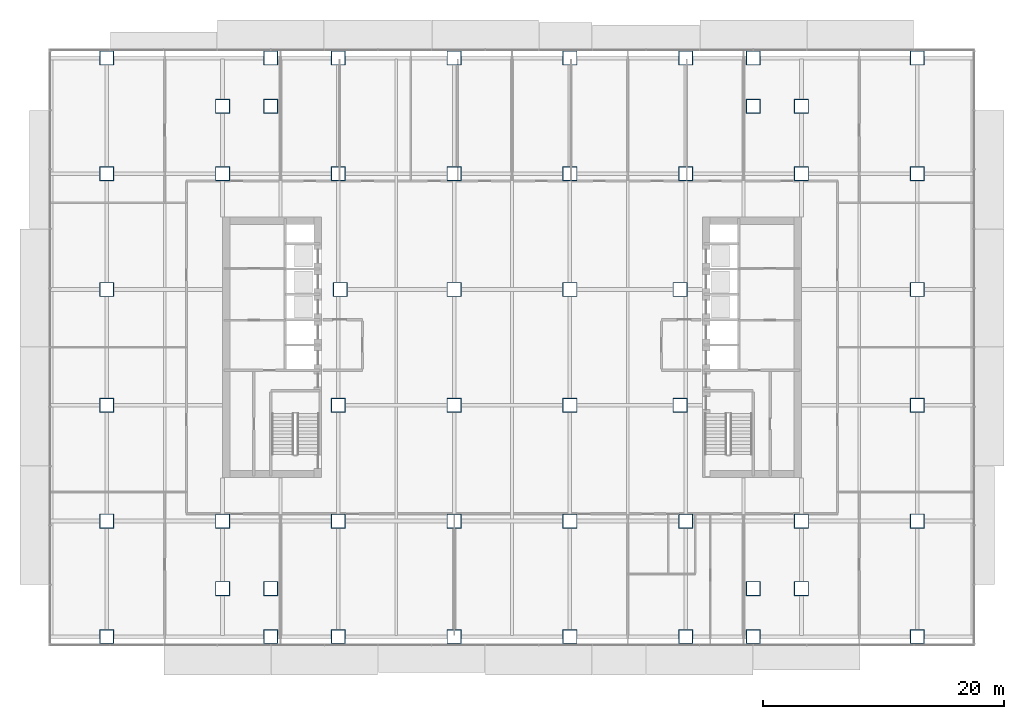
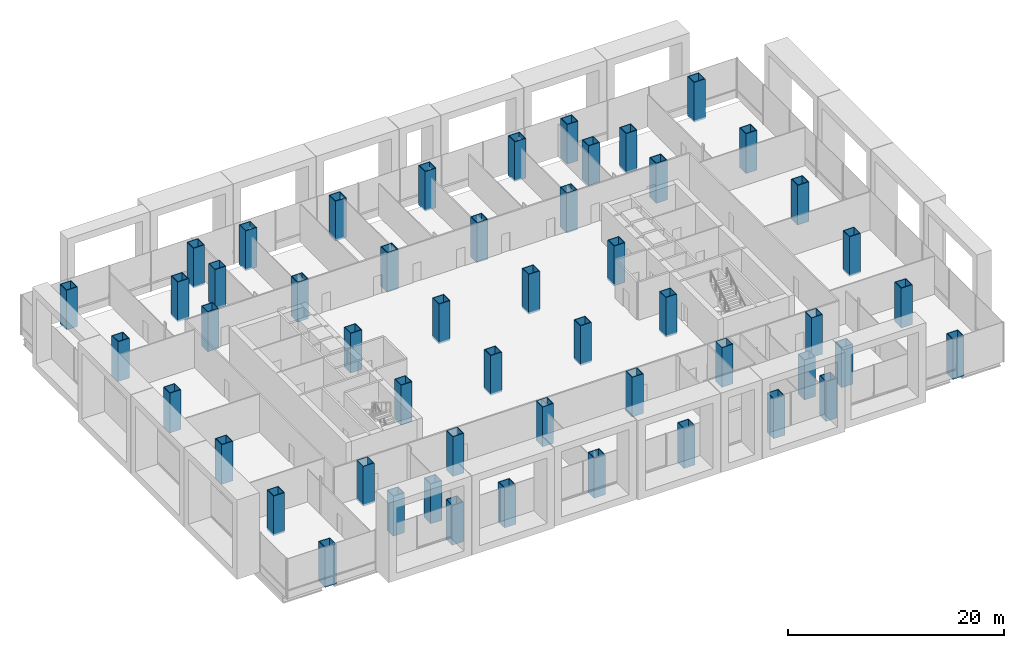
# One storey, part 1 of 23: 52 columns.
"""IFC4 building model written with IfcOpenShell, lengths in metres."""

from ifc_helpers import new_model, si_unit, direction, frame, origin, origin_2d, place, context, subcontext, project, spatial, hollow_rectangle, extrude, material, material_profile, profile_set, type_object, element, save


model = new_model("IFC4")

# Units and contexts
model_context = context("Model", 3, precision=1e-05, world=origin(), true_north=direction((0.0, 1.0)))
body_context = subcontext(model_context, "Body", "Model", "MODEL_VIEW")
ifc_project = project(units=[si_unit("LENGTHUNIT", "METRE"), si_unit("AREAUNIT", "SQUARE_METRE"), si_unit("VOLUMEUNIT", "CUBIC_METRE"), si_unit("PLANEANGLEUNIT", "RADIAN"), si_unit("MASSUNIT", "GRAM", prefix="KILO")], contexts=[model_context])

# Site, building, storey
site_placement = place(None, origin())
site = spatial("IfcSite", under=ifc_project, at=site_placement, CompositionType="ELEMENT")
building_placement = place(site_placement, origin())
building = spatial("IfcBuilding", under=site, at=building_placement, Name="Cobrizo Arcos Hotel Tower", CompositionType="ELEMENT")
storey_placement = place(building_placement, frame((0.0, 0.0, 15.5)))
storey = spatial("IfcBuildingStorey", under=building, at=storey_placement, Name="L02", CompositionType="ELEMENT", Elevation=15.5)

# Columns
ifc_material = material(Name="Steel ASTM A572 Grade 50", Category="steel")
ifc_material_profile_1 = material_profile(ifc_material, hollow_rectangle(XDim=1.199951171875, YDim=1.199951171875, WallThickness=0.070068359375, at=origin_2d()), Name="BOX 1200X1200X70")
ifc_profile_set_1 = profile_set([ifc_material_profile_1], Name="Steel ASTM A572 Grade 50")
column_type_1 = type_object("IfcColumnType", Name="BOX 1200X1200X70 column", PredefinedType="COLUMN", material=ifc_profile_set_1)
for number, where, z_axis, x_axis, name in (
    (1, (-33.60009765625, -24.0, -0.199951171875), (0.0, 0.0, 1.0), (1.0, 0.0, 0.0), "Perimeter column C1, L02, no. 00"),
    (2, (-33.60009765625, -14.39990234375, -0.199951171875), (0.0, 0.0, 1.0), (1.0, 0.0, 0.0), "Perimeter column C1, L02, no. 01"),
    (3, (-33.60009765625, -4.800048828125, -0.199951171875), (0.0, 0.0, 1.0), (1.0, 0.0, 0.0), "Perimeter column C1, L02, no. 02"),
    (4, (-33.60009765625, 4.800048828125, -0.199951171875), (0.0, 0.0, 1.0), (1.0, 0.0, 0.0), "Perimeter column C1, L02, no. 03"),
    (5, (-33.60009765625, 14.39990234375, -0.199951171875), (0.0, 0.0, 1.0), (1.0, 0.0, 0.0), "Perimeter column C1, L02, no. 04"),
    (6, (-33.60009765625, 24.0, -0.199951171875), (0.0, 0.0, 1.0), (1.0, 0.0, 0.0), "Perimeter column C1, L02, no. 05"),
    (7, (-20.0, -24.0, -0.199951171875), (0.0, 0.0, 1.0), (1.0, 0.0, 0.0), "Perimeter column C1, L02, no. 06"),
    (8, (-20.0, 24.0, -0.199951171875), (0.0, 0.0, 1.0), (1.0, 0.0, 0.0), "Perimeter column C1, L02, no. 07"),
    (9, (-14.39990234375, -24.0, -0.199951171875), (0.0, 0.0, 1.0), (1.0, 0.0, 0.0), "Perimeter column C1, L02, no. 08"),
    (10, (-14.39990234375, 24.0, -0.199951171875), (0.0, 0.0, 1.0), (1.0, 0.0, 0.0), "Perimeter column C1, L02, no. 09"),
    (11, (-4.800048828125, -24.0, -0.199951171875), (0.0, 0.0, 1.0), (1.0, 0.0, 0.0), "Perimeter column C1, L02, no. 10"),
    (12, (-4.800048828125, 24.0, -0.199951171875), (0.0, 0.0, 1.0), (1.0, 0.0, 0.0), "Perimeter column C1, L02, no. 11"),
    (13, (4.800048828125, -24.0, -0.199951171875), (0.0, 0.0, 1.0), (1.0, 0.0, 0.0), "Perimeter column C1, L02, no. 12"),
    (14, (4.800048828125, 24.0, -0.199951171875), (0.0, 0.0, 1.0), (1.0, 0.0, 0.0), "Perimeter column C1, L02, no. 13"),
    (15, (14.39990234375, -24.0, -0.199951171875), (0.0, 0.0, 1.0), (1.0, 0.0, 0.0), "Perimeter column C1, L02, no. 14"),
    (16, (14.39990234375, 24.0, -0.199951171875), (0.0, 0.0, 1.0), (1.0, 0.0, 0.0), "Perimeter column C1, L02, no. 15"),
    (17, (20.0, -24.0, -0.199951171875), (0.0, 0.0, 1.0), (1.0, 0.0, 0.0), "Perimeter column C1, L02, no. 16"),
    (18, (20.0, 24.0, -0.199951171875), (0.0, 0.0, 1.0), (1.0, 0.0, 0.0), "Perimeter column C1, L02, no. 17"),
    (19, (33.60009765625, -24.0, -0.199951171875), (0.0, 0.0, 1.0), (1.0, 0.0, 0.0), "Perimeter column C1, L02, no. 18"),
    (20, (33.60009765625, -14.39990234375, -0.199951171875), (0.0, 0.0, 1.0), (1.0, 0.0, 0.0), "Perimeter column C1, L02, no. 19"),
    (21, (33.60009765625, -4.800048828125, -0.199951171875), (0.0, 0.0, 1.0), (1.0, 0.0, 0.0), "Perimeter column C1, L02, no. 20"),
    (22, (33.60009765625, 4.800048828125, -0.199951171875), (0.0, 0.0, 1.0), (1.0, 0.0, 0.0), "Perimeter column C1, L02, no. 21"),
    (23, (33.60009765625, 14.39990234375, -0.199951171875), (0.0, 0.0, 1.0), (1.0, 0.0, 0.0), "Perimeter column C1, L02, no. 22"),
    (24, (33.60009765625, 24.0, -0.199951171875), (0.0, 0.0, 1.0), (1.0, 0.0, 0.0), "Perimeter column C1, L02, no. 23"),
):
    element("IfcColumn", number, at=place(storey_placement, frame(where, z_axis=z_axis, x_axis=x_axis)), inside=storey, type_object=column_type_1, Name=name, PredefinedType="COLUMN", context=body_context, shape_type="SweptSolid", body=[
        extrude(hollow_rectangle(XDim=1.199951171875, YDim=1.199951171875, WallThickness=0.070068359375, at=origin_2d()), origin(), (0.0, 0.0, 1.0), 4.5),
    ])
ifc_material_profile_2 = material_profile(ifc_material, hollow_rectangle(XDim=1.199951171875, YDim=1.199951171875, WallThickness=0.070068359375, at=origin_2d()), Name="BOX 1200X1200X70")
ifc_profile_set_2 = profile_set([ifc_material_profile_2], Name="Steel ASTM A572 Grade 50")
column_type_2 = type_object("IfcColumnType", Name="BOX 1200X1200X70 interior column", PredefinedType="COLUMN", material=ifc_profile_set_2)
for number, where, z_axis, x_axis, name in (
    (25, (-24.0, -20.0, -0.199951171875), (0.0, 0.0, 1.0), (1.0, 0.0, 0.0), "Interior column C2, L02, no. 00"),
    (26, (-24.0, -14.39990234375, -0.199951171875), (0.0, 0.0, 1.0), (1.0, 0.0, 0.0), "Interior column C2, L02, no. 01"),
    (27, (-24.0, 14.39990234375, -0.199951171875), (0.0, 0.0, 1.0), (1.0, 0.0, 0.0), "Interior column C2, L02, no. 02"),
    (28, (-24.0, 20.0, -0.199951171875), (0.0, 0.0, 1.0), (1.0, 0.0, 0.0), "Interior column C2, L02, no. 03"),
    (29, (-20.0, -20.0, -0.199951171875), (0.0, 0.0, 1.0), (1.0, 0.0, 0.0), "Interior column C2, L02, no. 04"),
    (30, (-20.0, 20.0, -0.199951171875), (0.0, 0.0, 1.0), (1.0, 0.0, 0.0), "Interior column C2, L02, no. 05"),
    (31, (-14.39990234375, -14.39990234375, -0.199951171875), (0.0, 0.0, 1.0), (1.0, 0.0, 0.0), "Interior column C2, L02, no. 06"),
    (32, (-14.39990234375, -4.800048828125, -0.199951171875), (0.0, 0.0, 1.0), (1.0, 0.0, 0.0), "Interior column C2, L02, no. 07"),
    (33, (-14.25, 4.800048828125, -0.199951171875), (0.0, 0.0, 1.0), (1.0, 0.0, 0.0), "Interior column C2, L02, no. 08"),
    (34, (-14.39990234375, 14.39990234375, -0.199951171875), (0.0, 0.0, 1.0), (1.0, 0.0, 0.0), "Interior column C2, L02, no. 09"),
    (35, (-4.800048828125, -14.39990234375, -0.199951171875), (0.0, 0.0, 1.0), (1.0, 0.0, 0.0), "Interior column C2, L02, no. 10"),
    (36, (-4.800048828125, -4.800048828125, -0.199951171875), (0.0, 0.0, 1.0), (1.0, 0.0, 0.0), "Interior column C2, L02, no. 11"),
    (37, (-4.800048828125, 4.800048828125, -0.199951171875), (0.0, 0.0, 1.0), (1.0, 0.0, 0.0), "Interior column C2, L02, no. 12"),
    (38, (-4.800048828125, 14.39990234375, -0.199951171875), (0.0, 0.0, 1.0), (1.0, 0.0, 0.0), "Interior column C2, L02, no. 13"),
    (39, (4.800048828125, -14.39990234375, -0.199951171875), (0.0, 0.0, 1.0), (1.0, 0.0, 0.0), "Interior column C2, L02, no. 14"),
    (40, (4.800048828125, -4.800048828125, -0.199951171875), (0.0, 0.0, 1.0), (1.0, 0.0, 0.0), "Interior column C2, L02, no. 15"),
    (41, (4.800048828125, 4.800048828125, -0.199951171875), (0.0, 0.0, 1.0), (1.0, 0.0, 0.0), "Interior column C2, L02, no. 16"),
    (42, (4.800048828125, 14.39990234375, -0.199951171875), (0.0, 0.0, 1.0), (1.0, 0.0, 0.0), "Interior column C2, L02, no. 17"),
    (43, (14.39990234375, -14.39990234375, -0.199951171875), (0.0, 0.0, 1.0), (1.0, 0.0, 0.0), "Interior column C2, L02, no. 18"),
    (44, (13.93994140625, -4.800048828125, -0.199951171875), (0.0, 0.0, 1.0), (1.0, 0.0, 0.0), "Interior column C2, L02, no. 19"),
    (45, (13.93994140625, 4.800048828125, -0.199951171875), (0.0, 0.0, 1.0), (1.0, 0.0, 0.0), "Interior column C2, L02, no. 20"),
    (46, (14.39990234375, 14.39990234375, -0.199951171875), (0.0, 0.0, 1.0), (1.0, 0.0, 0.0), "Interior column C2, L02, no. 21"),
    (47, (20.0, -20.0, -0.199951171875), (0.0, 0.0, 1.0), (1.0, 0.0, 0.0), "Interior column C2, L02, no. 22"),
    (48, (20.0, 20.0, -0.199951171875), (0.0, 0.0, 1.0), (1.0, 0.0, 0.0), "Interior column C2, L02, no. 23"),
    (49, (24.0, -20.0, -0.199951171875), (0.0, 0.0, 1.0), (1.0, 0.0, 0.0), "Interior column C2, L02, no. 24"),
    (50, (24.0, -14.39990234375, -0.199951171875), (0.0, 0.0, 1.0), (1.0, 0.0, 0.0), "Interior column C2, L02, no. 25"),
    (51, (24.0, 14.39990234375, -0.199951171875), (0.0, 0.0, 1.0), (1.0, 0.0, 0.0), "Interior column C2, L02, no. 26"),
    (52, (24.0, 20.0, -0.199951171875), (0.0, 0.0, 1.0), (1.0, 0.0, 0.0), "Interior column C2, L02, no. 27"),
):
    element("IfcColumn", number, at=place(storey_placement, frame(where, z_axis=z_axis, x_axis=x_axis)), inside=storey, type_object=column_type_2, Name=name, PredefinedType="COLUMN", context=body_context, shape_type="SweptSolid", body=[
        extrude(hollow_rectangle(XDim=1.199951171875, YDim=1.199951171875, WallThickness=0.070068359375, at=origin_2d()), origin(), (0.0, 0.0, 1.0), 4.5),
    ])

save(model, "model.ifc")
